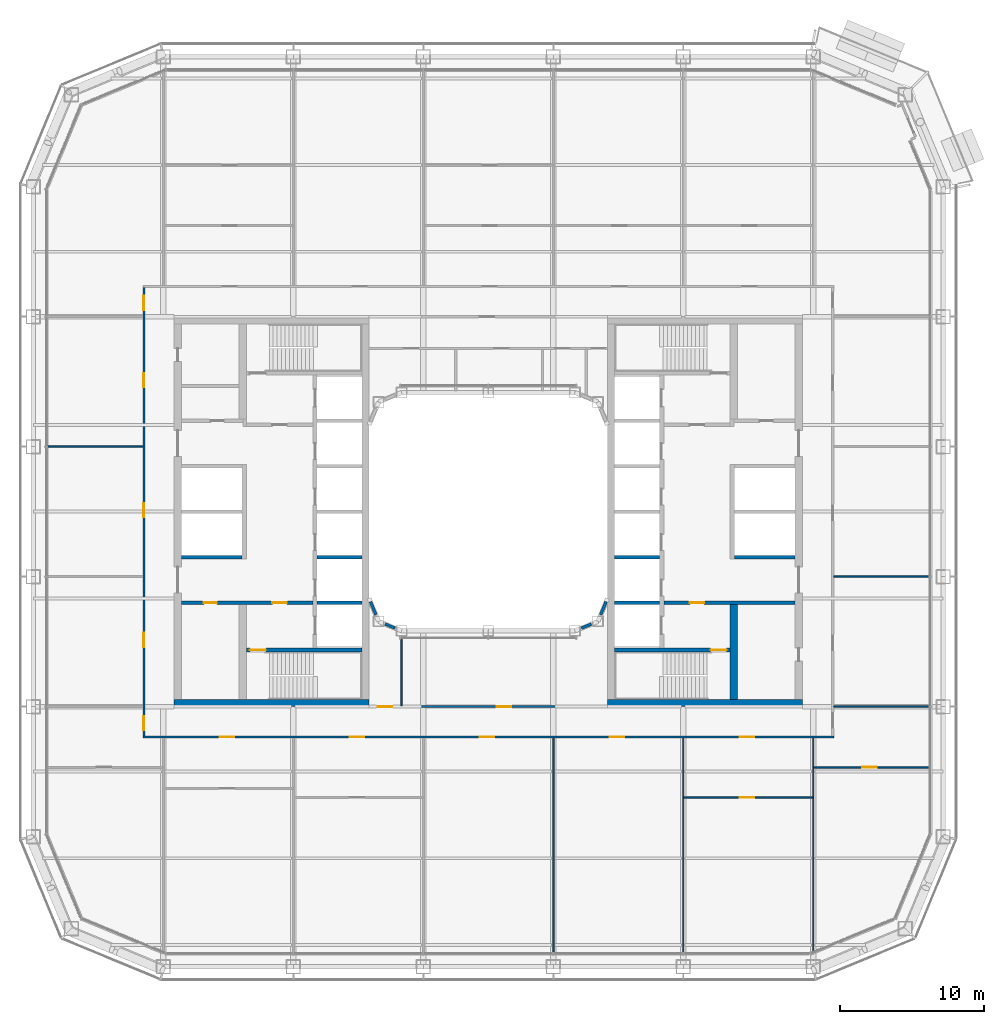
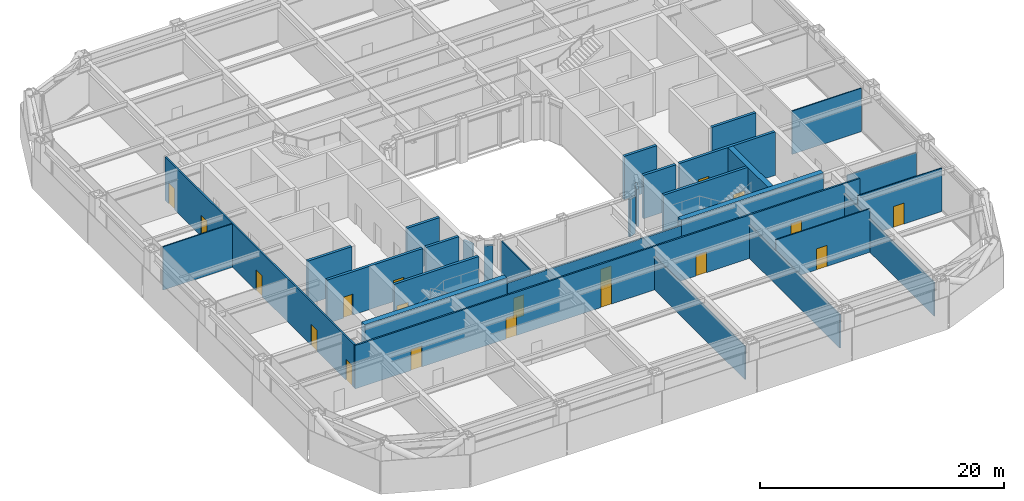
# One storey, part 13 of 30: 29 walls, 19 doors, 19 openings.
"""IFC4 building model written with IfcOpenShell, lengths in metres."""

from ifc_helpers import new_model, si_unit, direction, frame, frame_2d, origin, place, context, subcontext, project, spatial, rectangle, extrude, material, layer, layer_set, type_object, element, fill, save


model = new_model("IFC4")

# Units and contexts
model_context = context("Model", 3, precision=1e-05, world=origin(), true_north=direction((0.0, 1.0)))
body_context = subcontext(model_context, "Body", "Model", "MODEL_VIEW")
ifc_project = project(units=[si_unit("LENGTHUNIT", "METRE"), si_unit("AREAUNIT", "SQUARE_METRE"), si_unit("VOLUMEUNIT", "CUBIC_METRE"), si_unit("PLANEANGLEUNIT", "RADIAN"), si_unit("MASSUNIT", "GRAM", prefix="KILO")], contexts=[model_context])

# Site, building, storey
site_placement = place(None, origin())
site = spatial("IfcSite", under=ifc_project, at=site_placement, CompositionType="ELEMENT")
building_placement = place(site_placement, origin())
building = spatial("IfcBuilding", under=site, at=building_placement, Name="Siwar Civic Tower", CompositionType="ELEMENT")
storey_placement = place(building_placement, frame((0.0, 0.0, 62.699951171875)))
storey = spatial("IfcBuildingStorey", under=building, at=storey_placement, Name="L13", CompositionType="ELEMENT", Elevation=62.699951171875)

# Wall, openings, doors
ifc_material_1 = material(Name="Concrete C60/75", Category="concrete")
ifc_layer_1 = layer(ifc_material_1, 0.25)
ifc_layer_set_1 = layer_set([ifc_layer_1], Name="Concrete C60/75")
wall_type_1 = type_object("IfcWallType", Name="CORE-WALL-RC250", PredefinedType="SHEAR", material=ifc_layer_set_1)
wall_1_placement = place(storey_placement, frame((-12.14990234375, -6.300048828125, 0.0), z_axis=(0.0, 0.0, 1.0), x_axis=(-1.0, 0.0, 0.0)))
wall_1 = element("IfcWall", 1, at=wall_1_placement, inside=storey, type_object=wall_type_1, Name="Core wall W", PredefinedType="SHEAR", context=body_context, shape_type="SweptSolid", body=[
    extrude(rectangle(XDim=9.10009765625, YDim=0.25, at=frame_2d((4.550048828125, 0.0))), origin(), (0.0, 0.0, 1.0), 4.35009765625),
])
opening_1_placement = place(wall_1_placement, frame((1.800048828125, 0.0, 0.0)))
opening_1 = element("IfcOpeningElement", 2, at=opening_1_placement, cuts=wall_1, Name="Opening L13-CW02", PredefinedType="OPENING", context=body_context, shape_type="SweptSolid", body=[
    extrude(rectangle(XDim=1.0, YDim=2.10009765625, at=frame_2d((0.5, 1.050048828125))), frame((0.0, 0.135009765625, 0.0), z_axis=(0.0, -1.0, 0.0), x_axis=(1.0, 0.0, 0.0)), (0.0, 0.0, 1.0), 0.27001953125),
])
opening_2_placement = place(wall_1_placement, frame((6.64990234375, 0.0, 0.0)))
opening_2 = element("IfcOpeningElement", 3, at=opening_2_placement, cuts=wall_1, Name="Opening L13-CW15", PredefinedType="OPENING", context=body_context, shape_type="SweptSolid", body=[
    extrude(rectangle(XDim=0.89990234375, YDim=2.10009765625, at=frame_2d((0.449951171875, 1.050048828125))), frame((0.0, 0.135009765625, 0.0), z_axis=(0.0, -1.0, 0.0), x_axis=(1.0, 0.0, 0.0)), (0.0, 0.0, 1.0), 0.27001953125),
])
ifc_material_2 = material(Name="Steel door leaf", Category="steel")
door_type_1 = type_object("IfcDoorType", Name="CORE-DOOR-FD30S", OperationType="SINGLE_SWING_LEFT", PredefinedType="DOOR", material=ifc_material_2)
door_1_placement = place(opening_1_placement, origin())
door_1 = element("IfcDoor", 4, at=door_1_placement, inside=storey, type_object=door_type_1, Name="Service lobby door L13-CW02", OperationType="SINGLE_SWING_RIGHT", OverallHeight=2.10009765625, OverallWidth=1.0, PredefinedType="DOOR", context=body_context, shape_type="SweptSolid", body=[
    extrude(rectangle(XDim=1.0, YDim=2.10009765625, at=frame_2d((0.5, 1.050048828125))), frame((0.0, 0.02490234375, 0.0), z_axis=(0.0, -1.0, 0.0), x_axis=(1.0, 0.0, 0.0)), (0.0, 0.0, 1.0), 0.050048828125),
])
fill(opening_1, door_1)
ifc_material_3 = material(Name="Steel door leaf", Category="steel")
door_type_2 = type_object("IfcDoorType", Name="CORE-DOOR-ROOM", OperationType="SINGLE_SWING_LEFT", PredefinedType="DOOR", material=ifc_material_3)
door_2_placement = place(opening_2_placement, origin())
door_2 = element("IfcDoor", 5, at=door_2_placement, inside=storey, type_object=door_type_2, Name="Core room door L13-CW15", OperationType="SINGLE_SWING_RIGHT", OverallHeight=2.10009765625, OverallWidth=0.89990234375, PredefinedType="DOOR", context=body_context, shape_type="SweptSolid", body=[
    extrude(rectangle(XDim=0.89990234375, YDim=2.10009765625, at=frame_2d((0.449951171875, 1.050048828125))), frame((0.0, 0.02490234375, 0.0), z_axis=(0.0, -1.0, 0.0), x_axis=(1.0, 0.0, 0.0)), (0.0, 0.0, 1.0), 0.050048828125),
])
fill(opening_2, door_2)

# Walls
wall_2_placement = place(storey_placement, frame((-17.050048828125, -3.14990234375, 0.0), z_axis=(0.0, 0.0, 1.0), x_axis=(-1.0, 0.0, 0.0)))
element("IfcWall", 6, at=wall_2_placement, inside=storey, type_object=wall_type_1, Name="Core wall W", PredefinedType="SHEAR", context=body_context, shape_type="SweptSolid", body=[
    extrude(rectangle(XDim=4.199951171875, YDim=0.25, at=frame_2d((2.10009765625, 0.0))), origin(), (0.0, 0.0, 1.0), 4.35009765625),
])
for number, where, z_axis, x_axis, name in (
    (7, (-8.75, -3.14990234375, 0.0), (0.0, 0.0, 1.0), (-1.0, 0.0, 0.0), "Core wall W"),
    (8, (-8.75, -6.300048828125, 0.0), (0.0, 0.0, 1.0), (-1.0, 0.0, 0.0), "Core wall W"),
):
    element("IfcWall", number, at=place(storey_placement, frame(where, z_axis=z_axis, x_axis=x_axis)), inside=storey, type_object=wall_type_1, Name=name, PredefinedType="SHEAR", context=body_context, shape_type="SweptSolid", body=[
        extrude(rectangle(XDim=3.10009765625, YDim=0.25, at=frame_2d((1.550048828125, 0.0))), origin(), (0.0, 0.0, 1.0), 4.35009765625),
    ])

# Wall, opening, door
wall_3_placement = place(storey_placement, frame((-8.75, -9.574951171875, 0.0), z_axis=(0.0, 0.0, 1.0), x_axis=(-1.0, 0.0, 0.0)))
wall_3 = element("IfcWall", 9, at=wall_3_placement, inside=storey, type_object=wall_type_1, Name="Core wall W", PredefinedType="SHEAR", context=body_context, shape_type="SweptSolid", body=[
    extrude(rectangle(XDim=8.0, YDim=0.25, at=frame_2d((4.0, 0.0))), origin(), (0.0, 0.0, 1.0), 4.35009765625),
])
opening_3_placement = place(wall_3_placement, frame((6.64990234375, 0.0, 0.0)))
opening_3 = element("IfcOpeningElement", 10, at=opening_3_placement, cuts=wall_3, Name="Opening L13-CW04", PredefinedType="OPENING", context=body_context, shape_type="SweptSolid", body=[
    extrude(rectangle(XDim=1.10009765625, YDim=2.10009765625, at=frame_2d((0.550048828125, 1.050048828125))), frame((0.0, 0.135009765625, 0.0), z_axis=(0.0, -1.0, 0.0), x_axis=(1.0, 0.0, 0.0)), (0.0, 0.0, 1.0), 0.27001953125),
])
ifc_material_4 = material(Name="Steel door leaf", Category="steel")
door_type_3 = type_object("IfcDoorType", Name="CORE-DOOR-FD60S", OperationType="SINGLE_SWING_LEFT", PredefinedType="DOOR", material=ifc_material_4)
door_3_placement = place(opening_3_placement, origin())
door_3 = element("IfcDoor", 11, at=door_3_placement, inside=storey, type_object=door_type_3, Name="Stair door L13-CW04", OperationType="SINGLE_SWING_LEFT", OverallHeight=2.10009765625, OverallWidth=1.10009765625, PredefinedType="DOOR", context=body_context, shape_type="SweptSolid", body=[
    extrude(rectangle(XDim=1.10009765625, YDim=2.10009765625, at=frame_2d((0.550048828125, 1.050048828125))), frame((0.0, 0.02490234375, 0.0), z_axis=(0.0, -1.0, 0.0), x_axis=(1.0, 0.0, 0.0)), (0.0, 0.0, 1.0), 0.050048828125),
])
fill(opening_3, door_3)

wall_4_placement = place(storey_placement, frame((12.14990234375, -6.300048828125, 0.0), z_axis=(0.0, 0.0, 1.0), x_axis=(1.0, 0.0, 0.0)))
wall_4 = element("IfcWall", 12, at=wall_4_placement, inside=storey, type_object=wall_type_1, Name="Core wall E", PredefinedType="SHEAR", context=body_context, shape_type="SweptSolid", body=[
    extrude(rectangle(XDim=9.10009765625, YDim=0.25, at=frame_2d((4.550048828125, 0.0))), origin(), (0.0, 0.0, 1.0), 4.35009765625),
])
opening_4_placement = place(wall_4_placement, frame((1.800048828125, 0.0, 0.0)))
opening_4 = element("IfcOpeningElement", 13, at=opening_4_placement, cuts=wall_4, Name="Opening L13-CE02", PredefinedType="OPENING", context=body_context, shape_type="SweptSolid", body=[
    extrude(rectangle(XDim=1.0, YDim=2.10009765625, at=frame_2d((0.5, 1.050048828125))), frame((0.0, 0.135009765625, 0.0), z_axis=(0.0, -1.0, 0.0), x_axis=(1.0, 0.0, 0.0)), (0.0, 0.0, 1.0), 0.27001953125),
])
door_4_placement = place(opening_4_placement, origin())
door_4 = element("IfcDoor", 14, at=door_4_placement, inside=storey, type_object=door_type_1, Name="Service lobby door L13-CE02", OperationType="SINGLE_SWING_LEFT", OverallHeight=2.10009765625, OverallWidth=1.0, PredefinedType="DOOR", context=body_context, shape_type="SweptSolid", body=[
    extrude(rectangle(XDim=1.0, YDim=2.10009765625, at=frame_2d((0.5, 1.050048828125))), frame((0.0, 0.02490234375, 0.0), z_axis=(0.0, -1.0, 0.0), x_axis=(1.0, 0.0, 0.0)), (0.0, 0.0, 1.0), 0.050048828125),
])
fill(opening_4, door_4)

# Walls
wall_5_placement = place(storey_placement, frame((17.050048828125, -3.14990234375, 0.0), z_axis=(0.0, 0.0, 1.0), x_axis=(1.0, 0.0, 0.0)))
element("IfcWall", 15, at=wall_5_placement, inside=storey, type_object=wall_type_1, Name="Core wall E", PredefinedType="SHEAR", context=body_context, shape_type="SweptSolid", body=[
    extrude(rectangle(XDim=4.199951171875, YDim=0.25, at=frame_2d((2.10009765625, 0.0))), origin(), (0.0, 0.0, 1.0), 4.35009765625),
])
for number, where, z_axis, x_axis, name in (
    (16, (8.75, -3.14990234375, 0.0), (0.0, 0.0, 1.0), (1.0, 0.0, 0.0), "Core wall E"),
    (17, (8.75, -6.300048828125, 0.0), (0.0, 0.0, 1.0), (1.0, 0.0, 0.0), "Core wall E"),
):
    element("IfcWall", number, at=place(storey_placement, frame(where, z_axis=z_axis, x_axis=x_axis)), inside=storey, type_object=wall_type_1, Name=name, PredefinedType="SHEAR", context=body_context, shape_type="SweptSolid", body=[
        extrude(rectangle(XDim=3.10009765625, YDim=0.25, at=frame_2d((1.550048828125, 0.0))), origin(), (0.0, 0.0, 1.0), 4.35009765625),
    ])

# Wall, opening, door
wall_6_placement = place(storey_placement, frame((8.75, -9.574951171875, 0.0), z_axis=(0.0, 0.0, 1.0), x_axis=(1.0, 0.0, 0.0)))
wall_6 = element("IfcWall", 18, at=wall_6_placement, inside=storey, type_object=wall_type_1, Name="Core wall E", PredefinedType="SHEAR", context=body_context, shape_type="SweptSolid", body=[
    extrude(rectangle(XDim=8.0, YDim=0.25, at=frame_2d((4.0, 0.0))), origin(), (0.0, 0.0, 1.0), 4.35009765625),
])
opening_5_placement = place(wall_6_placement, frame((6.64990234375, 0.0, 0.0)))
opening_5 = element("IfcOpeningElement", 19, at=opening_5_placement, cuts=wall_6, Name="Opening L13-CE04", PredefinedType="OPENING", context=body_context, shape_type="SweptSolid", body=[
    extrude(rectangle(XDim=1.10009765625, YDim=2.10009765625, at=frame_2d((0.550048828125, 1.050048828125))), frame((0.0, 0.135009765625, 0.0), z_axis=(0.0, -1.0, 0.0), x_axis=(1.0, 0.0, 0.0)), (0.0, 0.0, 1.0), 0.27001953125),
])
door_5_placement = place(opening_5_placement, origin())
door_5 = element("IfcDoor", 20, at=door_5_placement, inside=storey, type_object=door_type_3, Name="Stair door L13-CE04", OperationType="SINGLE_SWING_RIGHT", OverallHeight=2.10009765625, OverallWidth=1.10009765625, PredefinedType="DOOR", context=body_context, shape_type="SweptSolid", body=[
    extrude(rectangle(XDim=1.10009765625, YDim=2.10009765625, at=frame_2d((0.550048828125, 1.050048828125))), frame((0.0, 0.02490234375, 0.0), z_axis=(0.0, -1.0, 0.0), x_axis=(1.0, 0.0, 0.0)), (0.0, 0.0, 1.0), 0.050048828125),
])
fill(opening_5, door_5)

# Walls
ifc_material_5 = material(Name="Concrete C60/75", Category="concrete")
ifc_layer_2 = layer(ifc_material_5, 0.5)
ifc_layer_set_2 = layer_set([ifc_layer_2], Name="Concrete C60/75")
wall_type_2 = type_object("IfcWallType", Name="CORE-WALL-RC500", PredefinedType="SHEAR", material=ifc_layer_set_2)
wall_7_placement = place(storey_placement, frame((-8.25, -13.25, 0.0), z_axis=(0.0, 0.0, 1.0), x_axis=(-1.0, 0.0, 0.0)))
element("IfcWall", 21, at=wall_7_placement, inside=storey, type_object=wall_type_2, Name="Core wall W", PredefinedType="SHEAR", context=body_context, shape_type="SweptSolid", body=[
    extrude(rectangle(XDim=13.5, YDim=0.5, at=frame_2d((6.75, 0.0))), origin(), (0.0, 0.0, 1.0), 4.35009765625),
])
wall_8_placement = place(storey_placement, frame((17.0, -13.0, 0.0), z_axis=(0.0, 0.0, 1.0), x_axis=(0.0, 1.0, 0.0)))
element("IfcWall", 22, at=wall_8_placement, inside=storey, type_object=wall_type_2, Name="Core wall E", PredefinedType="SHEAR", context=body_context, shape_type="SweptSolid", body=[
    extrude(rectangle(XDim=6.574951171875, YDim=0.5, at=frame_2d((3.28759765625, 0.0))), origin(), (0.0, 0.0, 1.0), 4.35009765625),
])
wall_9_placement = place(storey_placement, frame((8.25, -13.25, 0.0), z_axis=(0.0, 0.0, 1.0), x_axis=(1.0, 0.0, 0.0)))
element("IfcWall", 23, at=wall_9_placement, inside=storey, type_object=wall_type_2, Name="Core wall E", PredefinedType="SHEAR", context=body_context, shape_type="SweptSolid", body=[
    extrude(rectangle(XDim=13.5, YDim=0.5, at=frame_2d((6.75, 0.0))), origin(), (0.0, 0.0, 1.0), 4.35009765625),
])

# Wall, openings, doors
ifc_material_6 = material(Name="Gypsum board on steel studs", Category="steel")
ifc_layer_3 = layer(ifc_material_6, 0.14990234375)
ifc_layer_set_3 = layer_set([ifc_layer_3], Name="Gypsum board on steel studs")
wall_type_3 = type_object("IfcWallType", Name="CORRIDOR PARTITION 150 EI 30", PredefinedType="PARTITIONING", material=ifc_layer_set_3)
wall_10_placement = place(storey_placement, frame((-23.925048828125, -15.60009765625, 0.0), z_axis=(0.0, 0.0, 1.0), x_axis=(1.0, 0.0, 0.0)))
wall_10 = element("IfcWall", 24, at=wall_10_placement, inside=storey, type_object=wall_type_3, Name="L13/wall/P06", PredefinedType="PARTITIONING", context=body_context, shape_type="SweptSolid", body=[
    extrude(rectangle(XDim=47.85009765625, YDim=0.14990234375, at=frame_2d((23.925048828125, 0.0))), origin(), (0.0, 0.0, 1.0), 4.35009765625),
])
opening_6_placement = place(wall_10_placement, frame((5.324951171875, 0.0, 0.0)))
opening_6 = element("IfcOpeningElement", 25, at=opening_6_placement, cuts=wall_10, Name="Opening D1", PredefinedType="OPENING", context=body_context, shape_type="SweptSolid", body=[
    extrude(rectangle(XDim=1.0, YDim=2.10009765625, at=frame_2d((0.5, 1.050048828125))), frame((0.0, 0.0849609375, 0.0), z_axis=(0.0, -1.0, 0.0), x_axis=(1.0, 0.0, 0.0)), (0.0, 0.0, 1.0), 0.169921875),
])
opening_7_placement = place(wall_10_placement, frame((14.324951171875, 0.0, 0.0)))
opening_7 = element("IfcOpeningElement", 26, at=opening_7_placement, cuts=wall_10, Name="Opening D1", PredefinedType="OPENING", context=body_context, shape_type="SweptSolid", body=[
    extrude(rectangle(XDim=1.0, YDim=2.10009765625, at=frame_2d((0.5, 1.050048828125))), frame((0.0, 0.0849609375, 0.0), z_axis=(0.0, -1.0, 0.0), x_axis=(1.0, 0.0, 0.0)), (0.0, 0.0, 1.0), 0.169921875),
])
opening_8_placement = place(wall_10_placement, frame((23.324951171875, 0.0, 0.0)))
opening_8 = element("IfcOpeningElement", 27, at=opening_8_placement, cuts=wall_10, Name="Opening D1", PredefinedType="OPENING", context=body_context, shape_type="SweptSolid", body=[
    extrude(rectangle(XDim=1.0, YDim=2.10009765625, at=frame_2d((0.5, 1.050048828125))), frame((0.0, 0.0849609375, 0.0), z_axis=(0.0, -1.0, 0.0), x_axis=(1.0, 0.0, 0.0)), (0.0, 0.0, 1.0), 0.169921875),
])
opening_9_placement = place(wall_10_placement, frame((32.324951171875, 0.0, 0.0)))
opening_9 = element("IfcOpeningElement", 28, at=opening_9_placement, cuts=wall_10, Name="Opening D1", PredefinedType="OPENING", context=body_context, shape_type="SweptSolid", body=[
    extrude(rectangle(XDim=1.0, YDim=2.10009765625, at=frame_2d((0.5, 1.050048828125))), frame((0.0, 0.0849609375, 0.0), z_axis=(0.0, -1.0, 0.0), x_axis=(1.0, 0.0, 0.0)), (0.0, 0.0, 1.0), 0.169921875),
])
opening_10_placement = place(wall_10_placement, frame((41.324951171875, 0.0, 0.0)))
opening_10 = element("IfcOpeningElement", 29, at=opening_10_placement, cuts=wall_10, Name="Opening D1", PredefinedType="OPENING", context=body_context, shape_type="SweptSolid", body=[
    extrude(rectangle(XDim=1.0, YDim=2.10009765625, at=frame_2d((0.5, 1.050048828125))), frame((0.0, 0.0849609375, 0.0), z_axis=(0.0, -1.0, 0.0), x_axis=(1.0, 0.0, 0.0)), (0.0, 0.0, 1.0), 0.169921875),
])
ifc_material_7 = material(Name="Timber, painted", Category="wood")
door_type_4 = type_object("IfcDoorType", Name="DOOR 1000 X 2100 FD30", OperationType="SINGLE_SWING_LEFT", PredefinedType="DOOR", material=ifc_material_7)
door_6_placement = place(opening_6_placement, origin())
door_6 = element("IfcDoor", 30, at=door_6_placement, inside=storey, type_object=door_type_4, Name="L13-D12", OperationType="SINGLE_SWING_RIGHT", OverallHeight=2.10009765625, OverallWidth=1.0, PredefinedType="DOOR", context=body_context, shape_type="SweptSolid", body=[
    extrude(rectangle(XDim=1.0, YDim=2.10009765625, at=frame_2d((0.5, 1.050048828125))), frame((0.0, 0.02490234375, 0.0), z_axis=(0.0, -1.0, 0.0), x_axis=(1.0, 0.0, 0.0)), (0.0, 0.0, 1.0), 0.050048828125),
])
fill(opening_6, door_6)
door_7_placement = place(opening_7_placement, origin())
door_7 = element("IfcDoor", 31, at=door_7_placement, inside=storey, type_object=door_type_4, Name="L13-D14", OperationType="SINGLE_SWING_RIGHT", OverallHeight=2.10009765625, OverallWidth=1.0, PredefinedType="DOOR", context=body_context, shape_type="SweptSolid", body=[
    extrude(rectangle(XDim=1.0, YDim=2.10009765625, at=frame_2d((0.5, 1.050048828125))), frame((0.0, 0.02490234375, 0.0), z_axis=(0.0, -1.0, 0.0), x_axis=(1.0, 0.0, 0.0)), (0.0, 0.0, 1.0), 0.050048828125),
])
fill(opening_7, door_7)
door_8_placement = place(opening_8_placement, origin())
door_8 = element("IfcDoor", 32, at=door_8_placement, inside=storey, type_object=door_type_4, Name="L13-D16", OperationType="SINGLE_SWING_RIGHT", OverallHeight=2.10009765625, OverallWidth=1.0, PredefinedType="DOOR", context=body_context, shape_type="SweptSolid", body=[
    extrude(rectangle(XDim=1.0, YDim=2.10009765625, at=frame_2d((0.5, 1.050048828125))), frame((0.0, 0.02490234375, 0.0), z_axis=(0.0, -1.0, 0.0), x_axis=(1.0, 0.0, 0.0)), (0.0, 0.0, 1.0), 0.050048828125),
])
fill(opening_8, door_8)
door_9_placement = place(opening_9_placement, origin())
door_9 = element("IfcDoor", 33, at=door_9_placement, inside=storey, type_object=door_type_4, Name="L13-D17", OperationType="SINGLE_SWING_LEFT", OverallHeight=2.10009765625, OverallWidth=1.0, PredefinedType="DOOR", context=body_context, shape_type="SweptSolid", body=[
    extrude(rectangle(XDim=1.0, YDim=2.10009765625, at=frame_2d((0.5, 1.050048828125))), frame((0.0, 0.02490234375, 0.0), z_axis=(0.0, -1.0, 0.0), x_axis=(1.0, 0.0, 0.0)), (0.0, 0.0, 1.0), 0.050048828125),
])
fill(opening_9, door_9)
door_10_placement = place(opening_10_placement, origin())
door_10 = element("IfcDoor", 34, at=door_10_placement, inside=storey, type_object=door_type_4, Name="L13-D18", OperationType="SINGLE_SWING_RIGHT", OverallHeight=2.10009765625, OverallWidth=1.0, PredefinedType="DOOR", context=body_context, shape_type="SweptSolid", body=[
    extrude(rectangle(XDim=1.0, YDim=2.10009765625, at=frame_2d((0.5, 1.050048828125))), frame((0.0, 0.02490234375, 0.0), z_axis=(0.0, -1.0, 0.0), x_axis=(1.0, 0.0, 0.0)), (0.0, 0.0, 1.0), 0.050048828125),
])
fill(opening_10, door_10)

wall_11_placement = place(storey_placement, frame((-8.25, -13.5, 0.0), z_axis=(0.0, 0.0, 1.0), x_axis=(1.0, 0.0, 0.0)))
wall_11 = element("IfcWall", 35, at=wall_11_placement, inside=storey, type_object=wall_type_3, Name="L13/wall/P09", PredefinedType="PARTITIONING", context=body_context, shape_type="SweptSolid", body=[
    extrude(rectangle(XDim=16.5, YDim=0.14990234375, at=frame_2d((8.25, 0.0))), origin(), (0.0, 0.0, 1.0), 3.85009765625),
])
opening_11_placement = place(wall_11_placement, frame((0.60009765625, 0.0, 0.0)))
opening_11 = element("IfcOpeningElement", 36, at=opening_11_placement, cuts=wall_11, Name="Opening D3", PredefinedType="OPENING", context=body_context, shape_type="SweptSolid", body=[
    extrude(rectangle(XDim=1.0, YDim=2.10009765625, at=frame_2d((0.5, 1.050048828125))), frame((0.0, 0.0849609375, 0.0), z_axis=(0.0, -1.0, 0.0), x_axis=(1.0, 0.0, 0.0)), (0.0, 0.0, 1.0), 0.169921875),
])
opening_12_placement = place(wall_11_placement, frame((8.85009765625, 0.0, 0.0)))
opening_12 = element("IfcOpeningElement", 37, at=opening_12_placement, cuts=wall_11, Name="Opening D1", PredefinedType="OPENING", context=body_context, shape_type="SweptSolid", body=[
    extrude(rectangle(XDim=1.0, YDim=2.10009765625, at=frame_2d((0.5, 1.050048828125))), frame((0.0, 0.0849609375, 0.0), z_axis=(0.0, -1.0, 0.0), x_axis=(1.0, 0.0, 0.0)), (0.0, 0.0, 1.0), 0.169921875),
])
door_11_placement = place(opening_12_placement, origin())
door_11 = element("IfcDoor", 38, at=door_11_placement, inside=storey, type_object=door_type_4, Name="L13-D38", OperationType="SINGLE_SWING_RIGHT", OverallHeight=2.10009765625, OverallWidth=1.0, PredefinedType="DOOR", context=body_context, shape_type="SweptSolid", body=[
    extrude(rectangle(XDim=1.0, YDim=2.10009765625, at=frame_2d((0.5, 1.050048828125))), frame((0.0, 0.02490234375, 0.0), z_axis=(0.0, -1.0, 0.0), x_axis=(1.0, 0.0, 0.0)), (0.0, 0.0, 1.0), 0.050048828125),
])
fill(opening_12, door_11)
ifc_material_8 = material(Name="Timber, painted", Category="wood")
door_type_5 = type_object("IfcDoorType", Name="DOOR 1000 X 2100 WC", OperationType="SINGLE_SWING_LEFT", PredefinedType="DOOR", material=ifc_material_8)
door_12_placement = place(opening_11_placement, origin())
door_12 = element("IfcDoor", 39, at=door_12_placement, inside=storey, type_object=door_type_5, Name="L13-D37", OperationType="SINGLE_SWING_LEFT", OverallHeight=2.10009765625, OverallWidth=1.0, PredefinedType="DOOR", context=body_context, shape_type="SweptSolid", body=[
    extrude(rectangle(XDim=1.0, YDim=2.10009765625, at=frame_2d((0.5, 1.050048828125))), frame((0.0, 0.02490234375, 0.0), z_axis=(0.0, -1.0, 0.0), x_axis=(1.0, 0.0, 0.0)), (0.0, 0.0, 1.0), 0.050048828125),
])
fill(opening_11, door_12)

wall_12_placement = place(storey_placement, frame((-23.85009765625, -15.52490234375, 0.0), z_axis=(0.0, 0.0, 1.0), x_axis=(0.0, 1.0, 0.0)))
wall_12 = element("IfcWall", 40, at=wall_12_placement, inside=storey, type_object=wall_type_3, Name="L13/wall/P24", PredefinedType="PARTITIONING", context=body_context, shape_type="SweptSolid", body=[
    extrude(rectangle(XDim=31.0498046875, YDim=0.14990234375, at=frame_2d((15.52490234375, 0.0))), origin(), (0.0, 0.0, 1.0), 4.35009765625),
])
opening_13_placement = place(wall_12_placement, frame((29.47509765625, 0.0, 0.0)))
opening_13 = element("IfcOpeningElement", 41, at=opening_13_placement, cuts=wall_12, Name="Opening D1", PredefinedType="OPENING", context=body_context, shape_type="SweptSolid", body=[
    extrude(rectangle(XDim=1.0, YDim=2.10009765625, at=frame_2d((0.5, 1.050048828125))), frame((0.0, 0.0849609375, 0.0), z_axis=(0.0, -1.0, 0.0), x_axis=(1.0, 0.0, 0.0)), (0.0, 0.0, 1.0), 0.169921875),
])
opening_14_placement = place(wall_12_placement, frame((0.375, 0.0, 0.0)))
opening_14 = element("IfcOpeningElement", 42, at=opening_14_placement, cuts=wall_12, Name="Opening D1", PredefinedType="OPENING", context=body_context, shape_type="SweptSolid", body=[
    extrude(rectangle(XDim=1.0, YDim=2.10009765625, at=frame_2d((0.5, 1.050048828125))), frame((0.0, 0.0849609375, 0.0), z_axis=(0.0, -1.0, 0.0), x_axis=(1.0, 0.0, 0.0)), (0.0, 0.0, 1.0), 0.169921875),
])
opening_15_placement = place(wall_12_placement, frame((6.125, 0.0, 0.0)))
opening_15 = element("IfcOpeningElement", 43, at=opening_15_placement, cuts=wall_12, Name="Opening D1", PredefinedType="OPENING", context=body_context, shape_type="SweptSolid", body=[
    extrude(rectangle(XDim=1.0, YDim=2.10009765625, at=frame_2d((0.5, 1.050048828125))), frame((0.0, 0.0849609375, 0.0), z_axis=(0.0, -1.0, 0.0), x_axis=(1.0, 0.0, 0.0)), (0.0, 0.0, 1.0), 0.169921875),
])
opening_16_placement = place(wall_12_placement, frame((15.125, 0.0, 0.0)))
opening_16 = element("IfcOpeningElement", 44, at=opening_16_placement, cuts=wall_12, Name="Opening D1", PredefinedType="OPENING", context=body_context, shape_type="SweptSolid", body=[
    extrude(rectangle(XDim=1.0, YDim=2.10009765625, at=frame_2d((0.5, 1.050048828125))), frame((0.0, 0.0849609375, 0.0), z_axis=(0.0, -1.0, 0.0), x_axis=(1.0, 0.0, 0.0)), (0.0, 0.0, 1.0), 0.169921875),
])
opening_17_placement = place(wall_12_placement, frame((24.125, 0.0, 0.0)))
opening_17 = element("IfcOpeningElement", 45, at=opening_17_placement, cuts=wall_12, Name="Opening D1", PredefinedType="OPENING", context=body_context, shape_type="SweptSolid", body=[
    extrude(rectangle(XDim=1.0, YDim=2.10009765625, at=frame_2d((0.5, 1.050048828125))), frame((0.0, 0.0849609375, 0.0), z_axis=(0.0, -1.0, 0.0), x_axis=(1.0, 0.0, 0.0)), (0.0, 0.0, 1.0), 0.169921875),
])
door_13_placement = place(opening_13_placement, origin())
door_13 = element("IfcDoor", 46, at=door_13_placement, inside=storey, type_object=door_type_4, Name="L13-D20", OperationType="SINGLE_SWING_RIGHT", OverallHeight=2.10009765625, OverallWidth=1.0, PredefinedType="DOOR", context=body_context, shape_type="SweptSolid", body=[
    extrude(rectangle(XDim=1.0, YDim=2.10009765625, at=frame_2d((0.5, 1.050048828125))), frame((0.0, 0.02490234375, 0.0), z_axis=(0.0, -1.0, 0.0), x_axis=(1.0, 0.0, 0.0)), (0.0, 0.0, 1.0), 0.050048828125),
])
fill(opening_13, door_13)
door_14_placement = place(opening_14_placement, origin())
door_14 = element("IfcDoor", 47, at=door_14_placement, inside=storey, type_object=door_type_4, Name="L13-D22", OperationType="SINGLE_SWING_RIGHT", OverallHeight=2.10009765625, OverallWidth=1.0, PredefinedType="DOOR", context=body_context, shape_type="SweptSolid", body=[
    extrude(rectangle(XDim=1.0, YDim=2.10009765625, at=frame_2d((0.5, 1.050048828125))), frame((0.0, 0.02490234375, 0.0), z_axis=(0.0, -1.0, 0.0), x_axis=(1.0, 0.0, 0.0)), (0.0, 0.0, 1.0), 0.050048828125),
])
fill(opening_14, door_14)
door_15_placement = place(opening_15_placement, origin())
door_15 = element("IfcDoor", 48, at=door_15_placement, inside=storey, type_object=door_type_4, Name="L13-D26", OperationType="SINGLE_SWING_RIGHT", OverallHeight=2.10009765625, OverallWidth=1.0, PredefinedType="DOOR", context=body_context, shape_type="SweptSolid", body=[
    extrude(rectangle(XDim=1.0, YDim=2.10009765625, at=frame_2d((0.5, 1.050048828125))), frame((0.0, 0.02490234375, 0.0), z_axis=(0.0, -1.0, 0.0), x_axis=(1.0, 0.0, 0.0)), (0.0, 0.0, 1.0), 0.050048828125),
])
fill(opening_15, door_15)
door_16_placement = place(opening_16_placement, origin())
door_16 = element("IfcDoor", 49, at=door_16_placement, inside=storey, type_object=door_type_4, Name="L13-D27", OperationType="SINGLE_SWING_LEFT", OverallHeight=2.10009765625, OverallWidth=1.0, PredefinedType="DOOR", context=body_context, shape_type="SweptSolid", body=[
    extrude(rectangle(XDim=1.0, YDim=2.10009765625, at=frame_2d((0.5, 1.050048828125))), frame((0.0, 0.02490234375, 0.0), z_axis=(0.0, -1.0, 0.0), x_axis=(1.0, 0.0, 0.0)), (0.0, 0.0, 1.0), 0.050048828125),
])
fill(opening_16, door_16)
door_17_placement = place(opening_17_placement, origin())
door_17 = element("IfcDoor", 50, at=door_17_placement, inside=storey, type_object=door_type_4, Name="L13-D28", OperationType="SINGLE_SWING_RIGHT", OverallHeight=2.10009765625, OverallWidth=1.0, PredefinedType="DOOR", context=body_context, shape_type="SweptSolid", body=[
    extrude(rectangle(XDim=1.0, YDim=2.10009765625, at=frame_2d((0.5, 1.050048828125))), frame((0.0, 0.02490234375, 0.0), z_axis=(0.0, -1.0, 0.0), x_axis=(1.0, 0.0, 0.0)), (0.0, 0.0, 1.0), 0.050048828125),
])
fill(opening_17, door_17)

# Walls
ifc_material_9 = material(Name="Aluminium clad insulated panel", Category="aluminium")
ifc_layer_4 = layer(ifc_material_9, 0.199951171875)
ifc_layer_set_4 = layer_set([ifc_layer_4], Name="Aluminium clad insulated panel")
wall_type_4 = type_object("IfcWallType", Name="ENV-WALL-WELL", PredefinedType="STANDARD", material=ifc_layer_set_4)
wall_13_placement = place(storey_placement, frame((6.45263671875, -8.0625, 0.0), z_axis=(0.0, 0.0, 1.0), x_axis=(0.923940677943, 0.382535780864, 0.0)))
element("IfcWall", 51, at=wall_13_placement, inside=storey, type_object=wall_type_4, Name="Light well corner wall SE1", PredefinedType="STANDARD", context=body_context, shape_type="SweptSolid", body=[
    extrude(rectangle(XDim=0.7421875, YDim=0.199951171875, at=frame_2d((0.37109375, 0.0))), origin(), (0.0, 0.0, 1.0), 3.72998046875),
])
for number, where, z_axis, x_axis, name in (
    (52, (7.778564453125, -7.138427734375, 0.0), (0.0, 0.0, 1.0), (0.382549378284, 0.923935048136, 0.0), "Light well corner wall SE2"),
    (53, (-8.154296875, -6.23095703125, 0.0), (0.0, 0.0, 1.0), (0.382549378284, -0.923935048136, 0.0), "Light well corner wall SW1"),
):
    element("IfcWall", number, at=place(storey_placement, frame(where, z_axis=z_axis, x_axis=x_axis)), inside=storey, type_object=wall_type_4, Name=name, PredefinedType="STANDARD", context=body_context, shape_type="SweptSolid", body=[
        extrude(rectangle(XDim=0.982177734375, YDim=0.199951171875, at=frame_2d((0.4912109375, 0.0))), origin(), (0.0, 0.0, 1.0), 3.72998046875),
    ])
wall_14_placement = place(storey_placement, frame((-7.138427734375, -7.778564453125, 0.0), z_axis=(0.0, 0.0, 1.0), x_axis=(0.923940677943, -0.382535780864, 0.0)))
element("IfcWall", 54, at=wall_14_placement, inside=storey, type_object=wall_type_4, Name="Light well corner wall SW2", PredefinedType="STANDARD", context=body_context, shape_type="SweptSolid", body=[
    extrude(rectangle(XDim=0.7421875, YDim=0.199951171875, at=frame_2d((0.37109375, 0.0))), origin(), (0.0, 0.0, 1.0), 3.72998046875),
])

# Wall, opening, door
ifc_material_10 = material(Name="Gypsum board on steel studs", Category="steel")
ifc_layer_5 = layer(ifc_material_10, 0.10009765625)
ifc_layer_set_5 = layer_set([ifc_layer_5], Name="Gypsum board on steel studs")
wall_type_5 = type_object("IfcWallType", Name="PARTITION 100 GYPSUM", PredefinedType="PARTITIONING", material=ifc_layer_set_5)
wall_15_placement = place(storey_placement, frame((13.550048828125, -19.800048828125, 0.0), z_axis=(0.0, 0.0, 1.0), x_axis=(1.0, 0.0, 0.0)))
wall_15 = element("IfcWall", 55, at=wall_15_placement, inside=storey, type_object=wall_type_5, Name="L13/wall/P02", PredefinedType="PARTITIONING", context=body_context, shape_type="SweptSolid", body=[
    extrude(rectangle(XDim=8.89990234375, YDim=0.10009765625, at=frame_2d((4.449951171875, 0.0))), origin(), (0.0, 0.0, 1.0), 4.35009765625),
])
opening_18_placement = place(wall_15_placement, frame((3.85009765625, 0.0, 0.0)))
opening_18 = element("IfcOpeningElement", 56, at=opening_18_placement, cuts=wall_15, Name="Opening D2", PredefinedType="OPENING", context=body_context, shape_type="SweptSolid", body=[
    extrude(rectangle(XDim=1.0, YDim=2.10009765625, at=frame_2d((0.5, 1.050048828125))), frame((0.0, 0.06005859375, 0.0), z_axis=(0.0, -1.0, 0.0), x_axis=(1.0, 0.0, 0.0)), (0.0, 0.0, 1.0), 0.1201171875),
])
ifc_material_11 = material(Name="Timber, painted", Category="wood")
door_type_6 = type_object("IfcDoorType", Name="DOOR 1000 X 2100", OperationType="SINGLE_SWING_LEFT", PredefinedType="DOOR", material=ifc_material_11)
door_18_placement = place(opening_18_placement, origin())
door_18 = element("IfcDoor", 57, at=door_18_placement, inside=storey, type_object=door_type_6, Name="L13-D19", OperationType="SINGLE_SWING_LEFT", OverallHeight=2.10009765625, OverallWidth=1.0, PredefinedType="DOOR", context=body_context, shape_type="SweptSolid", body=[
    extrude(rectangle(XDim=1.0, YDim=2.10009765625, at=frame_2d((0.5, 1.050048828125))), frame((0.0, 0.02490234375, 0.0), z_axis=(0.0, -1.0, 0.0), x_axis=(1.0, 0.0, 0.0)), (0.0, 0.0, 1.0), 0.050048828125),
])
fill(opening_18, door_18)

wall_16_placement = place(storey_placement, frame((22.550048828125, -17.699951171875, 0.0), z_axis=(0.0, 0.0, 1.0), x_axis=(1.0, 0.0, 0.0)))
wall_16 = element("IfcWall", 58, at=wall_16_placement, inside=storey, type_object=wall_type_5, Name="L13/wall/P05", PredefinedType="PARTITIONING", context=body_context, shape_type="SweptSolid", body=[
    extrude(rectangle(XDim=7.9599609375, YDim=0.10009765625, at=frame_2d((3.97998046875, 0.0))), origin(), (0.0, 0.0, 1.0), 4.35009765625),
])
opening_19_placement = place(wall_16_placement, frame((3.35009765625, 0.0, 0.0)))
opening_19 = element("IfcOpeningElement", 59, at=opening_19_placement, cuts=wall_16, Name="Opening D2", PredefinedType="OPENING", context=body_context, shape_type="SweptSolid", body=[
    extrude(rectangle(XDim=1.0, YDim=2.10009765625, at=frame_2d((0.5, 1.050048828125))), frame((0.0, 0.06005859375, 0.0), z_axis=(0.0, -1.0, 0.0), x_axis=(1.0, 0.0, 0.0)), (0.0, 0.0, 1.0), 0.1201171875),
])
door_19_placement = place(opening_19_placement, origin())
door_19 = element("IfcDoor", 60, at=door_19_placement, inside=storey, type_object=door_type_6, Name="L13-D25", OperationType="SINGLE_SWING_LEFT", OverallHeight=2.10009765625, OverallWidth=1.0, PredefinedType="DOOR", context=body_context, shape_type="SweptSolid", body=[
    extrude(rectangle(XDim=1.0, YDim=2.10009765625, at=frame_2d((0.5, 1.050048828125))), frame((0.0, 0.02490234375, 0.0), z_axis=(0.0, -1.0, 0.0), x_axis=(1.0, 0.0, 0.0)), (0.0, 0.0, 1.0), 0.050048828125),
])
fill(opening_19, door_19)

# Walls
wall_17_placement = place(storey_placement, frame((23.925048828125, -13.5, 0.0), z_axis=(0.0, 0.0, 1.0), x_axis=(1.0, 0.0, 0.0)))
element("IfcWall", 61, at=wall_17_placement, inside=storey, type_object=wall_type_5, Name="L13/wall/P08", PredefinedType="PARTITIONING", context=body_context, shape_type="SweptSolid", body=[
    extrude(rectangle(XDim=6.5849609375, YDim=0.10009765625, at=frame_2d((3.29248046875, 0.0))), origin(), (0.0, 0.0, 1.0), 3.35009765625),
])
for number, where, z_axis, x_axis, name in (
    (62, (23.925048828125, -4.5, 0.0), (0.0, 0.0, 1.0), (1.0, 0.0, 0.0), "L13/wall/P11"),
    (63, (-30.510009765625, 4.5, 0.0), (0.0, 0.0, 1.0), (1.0, 0.0, 0.0), "L13/wall/P12"),
):
    element("IfcWall", number, at=place(storey_placement, frame(where, z_axis=z_axis, x_axis=x_axis)), inside=storey, type_object=wall_type_5, Name=name, PredefinedType="PARTITIONING", context=body_context, shape_type="SweptSolid", body=[
        extrude(rectangle(XDim=6.5849609375, YDim=0.10009765625, at=frame_2d((3.29248046875, 0.0))), origin(), (0.0, 0.0, 1.0), 4.35009765625),
    ])
wall_18_placement = place(storey_placement, frame((-6.0, -13.425048828125, 0.0), z_axis=(0.0, 0.0, 1.0), x_axis=(0.0, 1.0, 0.0)))
element("IfcWall", 64, at=wall_18_placement, inside=storey, type_object=wall_type_5, Name="L13/wall/P29", PredefinedType="PARTITIONING", context=body_context, shape_type="SweptSolid", body=[
    extrude(rectangle(XDim=4.72509765625, YDim=0.10009765625, at=frame_2d((2.362548828125, 0.0))), origin(), (0.0, 0.0, 1.0), 4.35009765625),
])
for number, where, z_axis, x_axis, name in (
    (65, (4.5, -30.510009765625, 0.0), (0.0, 0.0, 1.0), (0.0, 1.0, 0.0), "L13/wall/P34"),
    (66, (13.5, -30.510009765625, 0.0), (0.0, 0.0, 1.0), (0.0, 1.0, 0.0), "L13/wall/P38"),
):
    element("IfcWall", number, at=place(storey_placement, frame(where, z_axis=z_axis, x_axis=x_axis)), inside=storey, type_object=wall_type_5, Name=name, PredefinedType="PARTITIONING", context=body_context, shape_type="SweptSolid", body=[
        extrude(rectangle(XDim=14.8349609375, YDim=0.10009765625, at=frame_2d((7.41748046875, 0.0))), origin(), (0.0, 0.0, 1.0), 3.35009765625),
    ])
wall_19_placement = place(storey_placement, frame((22.5, -30.427978515625, 0.0), z_axis=(0.0, 0.0, 1.0), x_axis=(0.0, 1.0, 0.0)))
element("IfcWall", 67, at=wall_19_placement, inside=storey, type_object=wall_type_5, Name="L13/wall/P41", PredefinedType="PARTITIONING", context=body_context, shape_type="SweptSolid", body=[
    extrude(rectangle(XDim=14.7529296875, YDim=0.10009765625, at=frame_2d((7.37646484375, 0.0))), origin(), (0.0, 0.0, 1.0), 3.35009765625),
])

save(model, "model.ifc")
